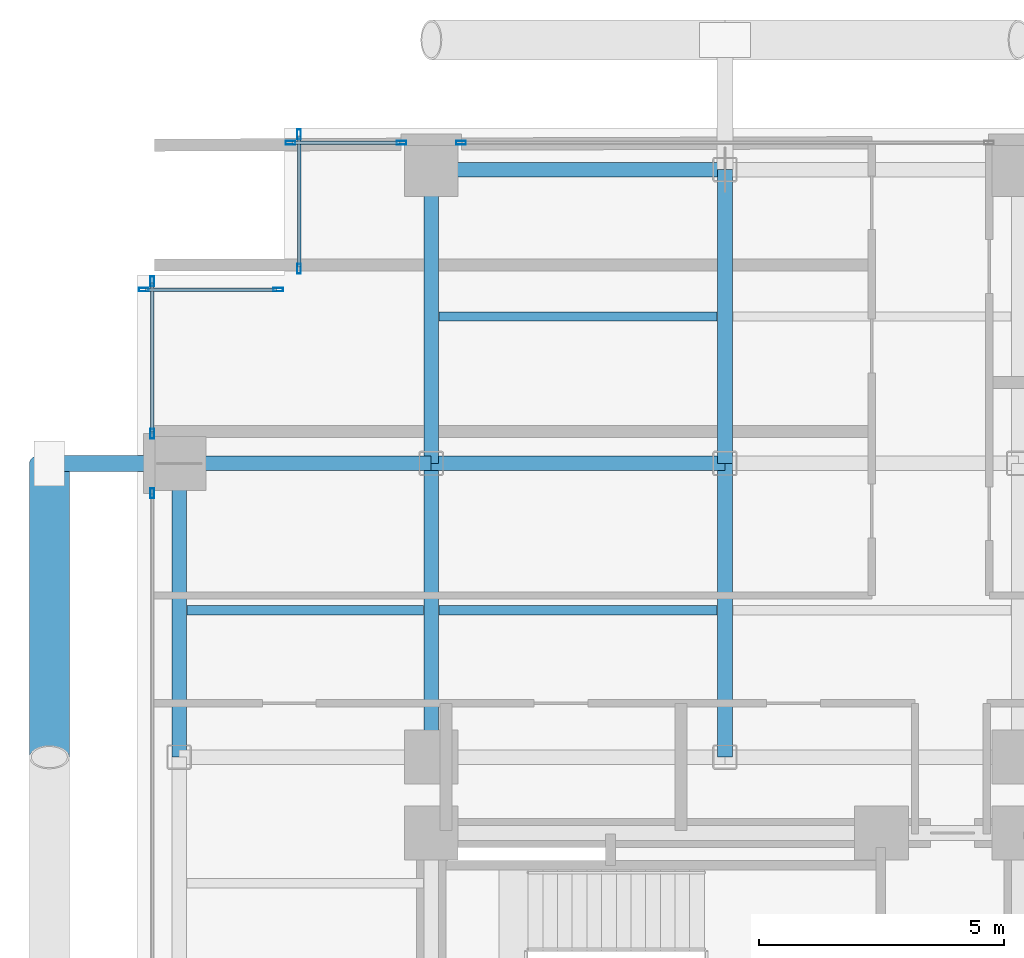
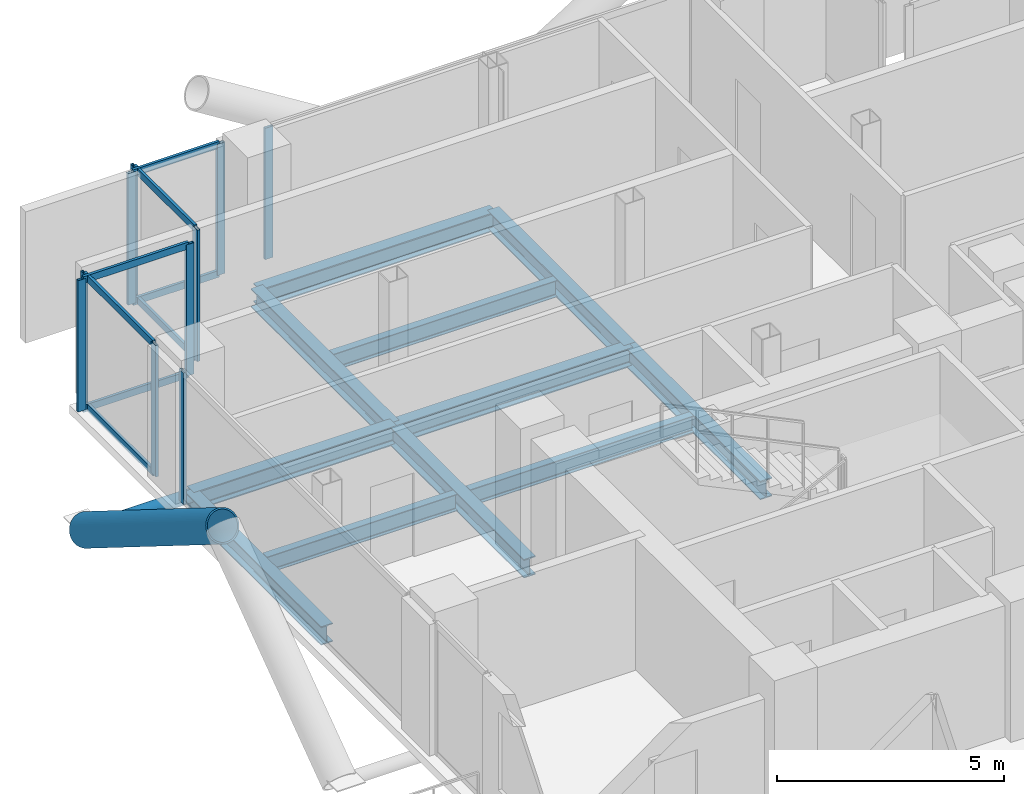
# One storey, part 14 of 24: 20 members, 11 beams, 6 elements without a shape of their own.
"""IFC4 building model written with IfcOpenShell, lengths in metres."""

from ifc_helpers import new_model, si_unit, direction, frame, origin, origin_2d, place, context, subcontext, project, spatial, hollow_rectangle, hollow_circle, i_section, extrude, material, layer, layer_set, material_profile, profile_set, type_object, element, aggregate, save


model = new_model("IFC4")

# Units and contexts
model_context = context("Model", 3, precision=1e-05, world=origin(), true_north=direction((0.0, 1.0)))
body_context = subcontext(model_context, "Body", "Model", "MODEL_VIEW")
ifc_project = project(units=[si_unit("LENGTHUNIT", "METRE"), si_unit("AREAUNIT", "SQUARE_METRE"), si_unit("VOLUMEUNIT", "CUBIC_METRE"), si_unit("PLANEANGLEUNIT", "RADIAN"), si_unit("MASSUNIT", "GRAM", prefix="KILO"), si_unit("THERMODYNAMICTEMPERATUREUNIT", "KELVIN"), si_unit("POWERUNIT", "WATT")], contexts=[model_context])

# Site, building, storey
site_placement = place(None, origin())
site = spatial("IfcSite", under=ifc_project, at=site_placement, CompositionType="ELEMENT")
building_placement = place(site_placement, origin())
building = spatial("IfcBuilding", under=site, at=building_placement, Name="Svarakhadi Broadcast Tower", CompositionType="ELEMENT")
storey_placement = place(building_placement, frame((0.0, 0.0, 130.64990234375)))
storey = spatial("IfcBuildingStorey", under=building, at=storey_placement, Name="L31", CompositionType="ELEMENT", Elevation=130.64990234375)

# Beams
ifc_material_1 = material(Name="Steel S355J2 (IS 2062 E350C)", Category="steel")
ifc_material_profile_1 = material_profile(ifc_material_1, i_section(OverallWidth=0.18994140625, OverallDepth=0.449951171875, WebThickness=0.009521484375, FlangeThickness=0.0146484375, FilletRadius=0.02099609375, at=origin_2d()), Name="NPB 450x190x78")
ifc_profile_set_1 = profile_set([ifc_material_profile_1], Name="Steel S355J2 (IS 2062 E350C)")
beam_type_1 = type_object("IfcBeamType", Name="Beam_NPB450", PredefinedType="BEAM", material=ifc_profile_set_1)
beam_1_placement = place(storey_placement, frame((1.010009765625, 32.14990234375, -0.449951171875), z_axis=(1.0, 0.0, 0.0), x_axis=(0.0, 1.0, 0.0)))
element("IfcBeam", 1, at=beam_1_placement, inside=storey, type_object=beam_type_1, Name="L31 Secondary Composite Beam SB005", PredefinedType="BEAM", context=body_context, shape_type="SweptSolid", body=[
    extrude(i_section(OverallWidth=0.18994140625, OverallDepth=0.449951171875, WebThickness=0.009521484375, FlangeThickness=0.0146484375, FilletRadius=0.02099609375, at=origin_2d()), origin(), (0.0, 0.0, 1.0), 4.830078125),
])
for number, where, z_axis, x_axis, name in (
    (2, (6.159912109375, 32.14990234375, -0.449951171875), (1.0, 0.0, 0.0), (0.0, 1.0, 0.0), "L31 Secondary Composite Beam SB009"),
    (3, (6.159912109375, 38.14990234375, -0.449951171875), (1.0, 0.0, 0.0), (0.0, 1.0, 0.0), "L31 Secondary Composite Beam SB010"),
):
    element("IfcBeam", number, at=place(storey_placement, frame(where, z_axis=z_axis, x_axis=x_axis)), inside=storey, type_object=beam_type_1, Name=name, PredefinedType="BEAM", context=body_context, shape_type="SweptSolid", body=[
        extrude(i_section(OverallWidth=0.18994140625, OverallDepth=0.449951171875, WebThickness=0.009521484375, FlangeThickness=0.0146484375, FilletRadius=0.02099609375, at=origin_2d()), origin(), (0.0, 0.0, 1.0), 5.68017578125),
    ])

# Curtain wall, member
ifc_material_2 = material(Name="Anodised Bronze Aluminium AA 6063-T6", Category="aluminium")
ifc_layer = layer(ifc_material_2, 0.199951171875)
ifc_layer_set = layer_set([ifc_layer], Name="Anodised Bronze Aluminium AA 6063-T6")
curtain_wall_type = type_object("IfcCurtainWallType", Name="CW_Sys_03", PredefinedType="NOTDEFINED", material=ifc_layer_set)
curtain_wall_1_placement = place(storey_placement, origin())
curtain_wall_1 = element("IfcCurtainWall", 4, at=curtain_wall_1_placement, inside=storey, type_object=curtain_wall_type, Name="L31 West Curtain Wall 03 Bay 2", PredefinedType="NOTDEFINED")
ifc_material_profile_2 = material_profile(ifc_material_2, hollow_rectangle(XDim=0.074951171875, YDim=0.199951171875, WallThickness=0.005615234375, at=origin_2d()), Name="ALU MULLION 200x75x6")
ifc_profile_set_2 = profile_set([ifc_material_profile_2], Name="Anodised Bronze Aluminium AA 6063-T6")
member_type_1 = type_object("IfcMemberType", Name="CW_Sys_03_Mul", PredefinedType="MULLION", material=ifc_profile_set_2)
member_1_placement = place(storey_placement, frame((0.300048828125, 34.54248046875, 0.0), z_axis=(0.0, 0.0, 1.0), x_axis=(-1.0, 0.0, 0.0)))
member_1 = element("IfcMember", 5, at=member_1_placement, type_object=member_type_1, Name="CW-03 mullion 2", PredefinedType="MULLION", context=body_context, shape_type="SweptSolid", body=[
    extrude(hollow_rectangle(XDim=0.074951171875, YDim=0.199951171875, WallThickness=0.005615234375, at=origin_2d()), origin(), (0.0, 0.0, 1.0), 3.525146484375),
])
aggregate(curtain_wall_1, [member_1])

# Curtain wall, members
curtain_wall_2_placement = place(storey_placement, origin())
curtain_wall_2 = element("IfcCurtainWall", 6, at=curtain_wall_2_placement, inside=storey, type_object=curtain_wall_type, Name="L31 West Curtain Wall 03 Bay 3", PredefinedType="NOTDEFINED")
member_2_placement = place(storey_placement, frame((0.300048828125, 35.757568359375, 0.0), z_axis=(0.0, 0.0, 1.0), x_axis=(-1.0, 0.0, 0.0)))
member_2 = element("IfcMember", 7, at=member_2_placement, type_object=member_type_1, Name="CW-03 mullion 1", PredefinedType="MULLION", context=body_context, shape_type="SweptSolid", body=[
    extrude(hollow_rectangle(XDim=0.074951171875, YDim=0.199951171875, WallThickness=0.005615234375, at=origin_2d()), origin(), (0.0, 0.0, 1.0), 3.525146484375),
])
member_3_placement = place(storey_placement, frame((0.300048828125, 38.87255859375, 0.0), z_axis=(0.0, 0.0, 1.0), x_axis=(-1.0, 0.0, 0.0)))
member_3 = element("IfcMember", 8, at=member_3_placement, type_object=member_type_1, Name="CW-03 mullion 2", PredefinedType="MULLION", context=body_context, shape_type="SweptSolid", body=[
    extrude(hollow_rectangle(XDim=0.074951171875, YDim=0.199951171875, WallThickness=0.005615234375, at=origin_2d()), origin(), (0.0, 0.0, 1.0), 3.525146484375),
])

curtain_wall_3_placement = place(storey_placement, origin())
curtain_wall_3 = element("IfcCurtainWall", 9, at=curtain_wall_3_placement, inside=storey, type_object=curtain_wall_type, Name="L31 Unitised Facade Curtain Wall 04", PredefinedType="NOTDEFINED")
member_4_placement = place(storey_placement, frame((0.12744140625, 38.699951171875, 0.0), z_axis=(0.0, 0.0, 1.0), x_axis=(0.0, 1.0, 0.0)))
member_4 = element("IfcMember", 10, at=member_4_placement, type_object=member_type_1, Name="CW-03 mullion 1", PredefinedType="MULLION", context=body_context, shape_type="SweptSolid", body=[
    extrude(hollow_rectangle(XDim=0.074951171875, YDim=0.199951171875, WallThickness=0.005615234375, at=origin_2d()), origin(), (0.0, 0.0, 1.0), 3.525146484375),
])
member_5_placement = place(storey_placement, frame((2.87255859375, 38.699951171875, 0.0), z_axis=(0.0, 0.0, 1.0), x_axis=(0.0, 1.0, 0.0)))
member_5 = element("IfcMember", 11, at=member_5_placement, type_object=member_type_1, Name="CW-03 mullion 2", PredefinedType="MULLION", context=body_context, shape_type="SweptSolid", body=[
    extrude(hollow_rectangle(XDim=0.074951171875, YDim=0.199951171875, WallThickness=0.005615234375, at=origin_2d()), origin(), (0.0, 0.0, 1.0), 3.525146484375),
])

curtain_wall_4_placement = place(storey_placement, origin())
curtain_wall_4 = element("IfcCurtainWall", 12, at=curtain_wall_4_placement, inside=storey, type_object=curtain_wall_type, Name="L31 Unitised Facade Curtain Wall 05", PredefinedType="NOTDEFINED")
member_6_placement = place(storey_placement, frame((3.300048828125, 39.12744140625, 0.0), z_axis=(0.0, 0.0, 1.0), x_axis=(-1.0, 0.0, 0.0)))
member_6 = element("IfcMember", 13, at=member_6_placement, type_object=member_type_1, Name="CW-03 mullion 1", PredefinedType="MULLION", context=body_context, shape_type="SweptSolid", body=[
    extrude(hollow_rectangle(XDim=0.074951171875, YDim=0.199951171875, WallThickness=0.005615234375, at=origin_2d()), origin(), (0.0, 0.0, 1.0), 3.525146484375),
])
member_7_placement = place(storey_placement, frame((3.300048828125, 41.87255859375, 0.0), z_axis=(0.0, 0.0, 1.0), x_axis=(-1.0, 0.0, 0.0)))
member_7 = element("IfcMember", 14, at=member_7_placement, type_object=member_type_1, Name="CW-03 mullion 2", PredefinedType="MULLION", context=body_context, shape_type="SweptSolid", body=[
    extrude(hollow_rectangle(XDim=0.074951171875, YDim=0.199951171875, WallThickness=0.005615234375, at=origin_2d()), origin(), (0.0, 0.0, 1.0), 3.525146484375),
])

curtain_wall_5_placement = place(storey_placement, origin())
curtain_wall_5 = element("IfcCurtainWall", 15, at=curtain_wall_5_placement, inside=storey, type_object=curtain_wall_type, Name="L31 Unitised Facade Curtain Wall 06 Bay 1", PredefinedType="NOTDEFINED")
member_8_placement = place(storey_placement, frame((3.12744140625, 41.699951171875, 0.0), z_axis=(0.0, 0.0, 1.0), x_axis=(0.0, 1.0, 0.0)))
member_8 = element("IfcMember", 16, at=member_8_placement, type_object=member_type_1, Name="CW-03 mullion 1", PredefinedType="MULLION", context=body_context, shape_type="SweptSolid", body=[
    extrude(hollow_rectangle(XDim=0.074951171875, YDim=0.199951171875, WallThickness=0.005615234375, at=origin_2d()), origin(), (0.0, 0.0, 1.0), 3.525146484375),
])
member_9_placement = place(storey_placement, frame((5.392578125, 41.699951171875, 0.0), z_axis=(0.0, 0.0, 1.0), x_axis=(0.0, 1.0, 0.0)))
member_9 = element("IfcMember", 17, at=member_9_placement, type_object=member_type_1, Name="CW-03 mullion 2", PredefinedType="MULLION", context=body_context, shape_type="SweptSolid", body=[
    extrude(hollow_rectangle(XDim=0.074951171875, YDim=0.199951171875, WallThickness=0.005615234375, at=origin_2d()), origin(), (0.0, 0.0, 1.0), 3.525146484375),
])

# Curtain wall, member
curtain_wall_6_placement = place(storey_placement, origin())
curtain_wall_6 = element("IfcCurtainWall", 18, at=curtain_wall_6_placement, inside=storey, type_object=curtain_wall_type, Name="L31 Unitised Facade Curtain Wall 06 Bay 2", PredefinedType="NOTDEFINED")
member_10_placement = place(storey_placement, frame((6.607421875, 41.699951171875, 0.0), z_axis=(0.0, 0.0, 1.0), x_axis=(0.0, 1.0, 0.0)))
member_10 = element("IfcMember", 19, at=member_10_placement, type_object=member_type_1, Name="CW-03 mullion 1", PredefinedType="MULLION", context=body_context, shape_type="SweptSolid", body=[
    extrude(hollow_rectangle(XDim=0.074951171875, YDim=0.199951171875, WallThickness=0.005615234375, at=origin_2d()), origin(), (0.0, 0.0, 1.0), 3.525146484375),
])
aggregate(curtain_wall_6, [member_10])

# Member
ifc_material_profile_3 = material_profile(ifc_material_2, hollow_rectangle(XDim=0.070068359375, YDim=0.18505859375, WallThickness=0.0048828125, at=origin_2d()), Name="ALU TRANSOM 185x70x5")
ifc_profile_set_3 = profile_set([ifc_material_profile_3], Name="Anodised Bronze Aluminium AA 6063-T6")
member_type_2 = type_object("IfcMemberType", Name="CW_Sys_03_Trn", PredefinedType="USERDEFINED", material=ifc_profile_set_3)
member_11_placement = place(storey_placement, frame((0.300048828125, 35.794921875, 0.03515625), z_axis=(0.0, 1.0, 0.0), x_axis=(-1.0, 0.0, 0.0)))
member_11 = element("IfcMember", 20, at=member_11_placement, type_object=member_type_2, Name="CW-03 transom 1.1", ObjectType="TRANSOM", PredefinedType="USERDEFINED", context=body_context, shape_type="SweptSolid", body=[
    extrude(hollow_rectangle(XDim=0.070068359375, YDim=0.18505859375, WallThickness=0.0048828125, at=origin_2d()), origin(), (0.0, 0.0, 1.0), 3.0400390625),
])

member_12_placement = place(storey_placement, frame((0.300048828125, 35.794921875, 3.489990234375), z_axis=(0.0, 1.0, 0.0), x_axis=(-1.0, 0.0, 0.0)))
member_12 = element("IfcMember", 21, at=member_12_placement, type_object=member_type_2, Name="CW-03 transom 1.2", ObjectType="TRANSOM", PredefinedType="USERDEFINED", context=body_context, shape_type="SweptSolid", body=[
    extrude(hollow_rectangle(XDim=0.070068359375, YDim=0.18505859375, WallThickness=0.0048828125, at=origin_2d()), origin(), (0.0, 0.0, 1.0), 3.0400390625),
])

aggregate(curtain_wall_2, [member_2, member_3, member_11, member_12])

member_13_placement = place(storey_placement, frame((0.1650390625, 38.699951171875, 0.03515625), z_axis=(1.0, 0.0, 0.0), x_axis=(0.0, 1.0, 0.0)))
member_13 = element("IfcMember", 22, at=member_13_placement, type_object=member_type_2, Name="CW-03 transom 1.1", ObjectType="TRANSOM", PredefinedType="USERDEFINED", context=body_context, shape_type="SweptSolid", body=[
    extrude(hollow_rectangle(XDim=0.070068359375, YDim=0.18505859375, WallThickness=0.0048828125, at=origin_2d()), origin(), (0.0, 0.0, 1.0), 2.669921875),
])

member_14_placement = place(storey_placement, frame((0.1650390625, 38.699951171875, 3.489990234375), z_axis=(1.0, 0.0, 0.0), x_axis=(0.0, 1.0, 0.0)))
member_14 = element("IfcMember", 23, at=member_14_placement, type_object=member_type_2, Name="CW-03 transom 1.2", ObjectType="TRANSOM", PredefinedType="USERDEFINED", context=body_context, shape_type="SweptSolid", body=[
    extrude(hollow_rectangle(XDim=0.070068359375, YDim=0.18505859375, WallThickness=0.0048828125, at=origin_2d()), origin(), (0.0, 0.0, 1.0), 2.669921875),
])

aggregate(curtain_wall_3, [member_4, member_5, member_13, member_14])

member_15_placement = place(storey_placement, frame((3.300048828125, 39.1650390625, 0.03515625), z_axis=(0.0, 1.0, 0.0), x_axis=(-1.0, 0.0, 0.0)))
member_15 = element("IfcMember", 24, at=member_15_placement, type_object=member_type_2, Name="CW-03 transom 1.1", ObjectType="TRANSOM", PredefinedType="USERDEFINED", context=body_context, shape_type="SweptSolid", body=[
    extrude(hollow_rectangle(XDim=0.070068359375, YDim=0.18505859375, WallThickness=0.0048828125, at=origin_2d()), origin(), (0.0, 0.0, 1.0), 2.669921875),
])

member_16_placement = place(storey_placement, frame((3.300048828125, 39.1650390625, 3.489990234375), z_axis=(0.0, 1.0, 0.0), x_axis=(-1.0, 0.0, 0.0)))
member_16 = element("IfcMember", 25, at=member_16_placement, type_object=member_type_2, Name="CW-03 transom 1.2", ObjectType="TRANSOM", PredefinedType="USERDEFINED", context=body_context, shape_type="SweptSolid", body=[
    extrude(hollow_rectangle(XDim=0.070068359375, YDim=0.18505859375, WallThickness=0.0048828125, at=origin_2d()), origin(), (0.0, 0.0, 1.0), 2.669921875),
])

aggregate(curtain_wall_4, [member_6, member_7, member_15, member_16])

member_17_placement = place(storey_placement, frame((3.1650390625, 41.699951171875, 0.03515625), z_axis=(1.0, 0.0, 0.0), x_axis=(0.0, 1.0, 0.0)))
member_17 = element("IfcMember", 26, at=member_17_placement, type_object=member_type_2, Name="CW-03 transom 1.1", ObjectType="TRANSOM", PredefinedType="USERDEFINED", context=body_context, shape_type="SweptSolid", body=[
    extrude(hollow_rectangle(XDim=0.070068359375, YDim=0.18505859375, WallThickness=0.0048828125, at=origin_2d()), origin(), (0.0, 0.0, 1.0), 2.18994140625),
])

member_18_placement = place(storey_placement, frame((3.1650390625, 41.699951171875, 3.489990234375), z_axis=(1.0, 0.0, 0.0), x_axis=(0.0, 1.0, 0.0)))
member_18 = element("IfcMember", 27, at=member_18_placement, type_object=member_type_2, Name="CW-03 transom 1.2", ObjectType="TRANSOM", PredefinedType="USERDEFINED", context=body_context, shape_type="SweptSolid", body=[
    extrude(hollow_rectangle(XDim=0.070068359375, YDim=0.18505859375, WallThickness=0.0048828125, at=origin_2d()), origin(), (0.0, 0.0, 1.0), 2.18994140625),
])

aggregate(curtain_wall_5, [member_8, member_9, member_17, member_18])

# Members
ifc_material_3 = material(Name="Steel S460ML (IS 2062 E450BR)", Category="steel")
ifc_material_profile_4 = material_profile(ifc_material_3, hollow_circle(Radius=0.406494140625, WallThickness=0.0400390625, at=origin_2d()), Name="CHS 813x40")
ifc_profile_set_4 = profile_set([ifc_material_profile_4], Name="Steel S460ML (IS 2062 E450BR)")
member_type_3 = type_object("IfcMemberType", Name="Exo_Brace_CHS813", PredefinedType="BRACE", material=ifc_profile_set_4)
member_19_placement = place(storey_placement, frame((-1.800048828125, 35.14990234375, -0.386962890625), z_axis=(0.0, -0.847998304005, 0.529998940003), x_axis=(1.0, 0.0, 0.0)))
element("IfcMember", 28, at=member_19_placement, inside=storey, type_object=member_type_3, Name="L31 Exposed Bronze Exoskeleton Diagonal W05", PredefinedType="BRACE", context=body_context, shape_type="SweptSolid", body=[
    extrude(hollow_circle(Radius=0.406494140625, WallThickness=0.0400390625, at=origin_2d()), origin(), (0.0, 0.0, 1.0), 7.075439453125),
])
ifc_material_profile_5 = material_profile(ifc_material_3, hollow_circle(Radius=0.161865234375, WallThickness=0.01611328125, at=origin_2d()), Name="CHS 323.9x16")
ifc_profile_set_5 = profile_set([ifc_material_profile_5], Name="Steel S460ML (IS 2062 E450BR)")
member_type_4 = type_object("IfcMemberType", Name="Exo_Radial_Strut_Z2", PredefinedType="STRUT", material=ifc_profile_set_5)
member_20_placement = place(storey_placement, frame((-1.800048828125, 35.14990234375, -0.386962890625), z_axis=(1.0, 0.0, 0.0), x_axis=(0.0, 1.0, 0.0)))
element("IfcMember", 29, at=member_20_placement, inside=storey, type_object=member_type_4, Name="L31 Exoskeleton Radial Tie Strut W04", PredefinedType="STRUT", context=body_context, shape_type="SweptSolid", body=[
    extrude(hollow_circle(Radius=0.161865234375, WallThickness=0.01611328125, at=origin_2d()), origin(), (0.0, 0.0, 1.0), 2.650146484375),
])

# Beams
ifc_material_profile_6 = material_profile(ifc_material_1, i_section(OverallWidth=0.300048828125, OverallDepth=0.5, WebThickness=0.014404296875, FlangeThickness=0.028076171875, FilletRadius=0.027099609375, at=origin_2d()), Name="WPB 500x300x187")
ifc_profile_set_6 = profile_set([ifc_material_profile_6], Name="Steel S355J2 (IS 2062 E350C)")
beam_type_2 = type_object("IfcBeamType", Name="Girder_WPB500", PredefinedType="USERDEFINED", material=ifc_profile_set_6)
beam_2_placement = place(storey_placement, frame((0.85009765625, 35.14990234375, -0.474853515625), z_axis=(1.0, 0.0, 0.0), x_axis=(0.0, 1.0, 0.0)))
element("IfcBeam", 30, at=beam_2_placement, inside=storey, type_object=beam_type_2, Name="L31 Primary E-W Girder G035", ObjectType="GIRDER", PredefinedType="USERDEFINED", context=body_context, shape_type="SweptSolid", body=[
    extrude(i_section(OverallWidth=0.300048828125, OverallDepth=0.5, WebThickness=0.014404296875, FlangeThickness=0.028076171875, FilletRadius=0.027099609375, at=origin_2d()), origin(), (0.0, 0.0, 1.0), 5.14990234375),
])
for number, where, z_axis, x_axis, name in (
    (31, (6.0, 35.14990234375, -0.474853515625), (1.0, 0.0, 0.0), (0.0, 1.0, 0.0), "L31 Primary E-W Girder G036"),
    (32, (6.0, 41.14990234375, -0.474853515625), (1.0, 0.0, 0.0), (0.0, 1.0, 0.0), "L31 Primary E-W Girder G038"),
    (33, (0.85009765625, 29.14990234375, -0.474853515625), (0.0, 1.0, 0.0), (-1.0, 0.0, 0.0), "L31 Primary N-S Girder G044"),
    (34, (6.0, 29.14990234375, -0.474853515625), (0.0, 1.0, 0.0), (-1.0, 0.0, 0.0), "L31 Primary N-S Girder G049"),
    (35, (6.0, 35.14990234375, -0.474853515625), (0.0, 1.0, 0.0), (-1.0, 0.0, 0.0), "L31 Primary N-S Girder G050"),
    (36, (12.0, 29.14990234375, -0.474853515625), (0.0, 1.0, 0.0), (-1.0, 0.0, 0.0), "L31 Primary N-S Girder G054"),
    (37, (12.0, 35.14990234375, -0.474853515625), (0.0, 1.0, 0.0), (-1.0, 0.0, 0.0), "L31 Primary N-S Girder G055"),
):
    element("IfcBeam", number, at=place(storey_placement, frame(where, z_axis=z_axis, x_axis=x_axis)), inside=storey, type_object=beam_type_2, Name=name, ObjectType="GIRDER", PredefinedType="USERDEFINED", context=body_context, shape_type="SweptSolid", body=[
        extrude(i_section(OverallWidth=0.300048828125, OverallDepth=0.5, WebThickness=0.014404296875, FlangeThickness=0.028076171875, FilletRadius=0.027099609375, at=origin_2d()), origin(), (0.0, 0.0, 1.0), 6.0),
    ])

save(model, "model.ifc")
